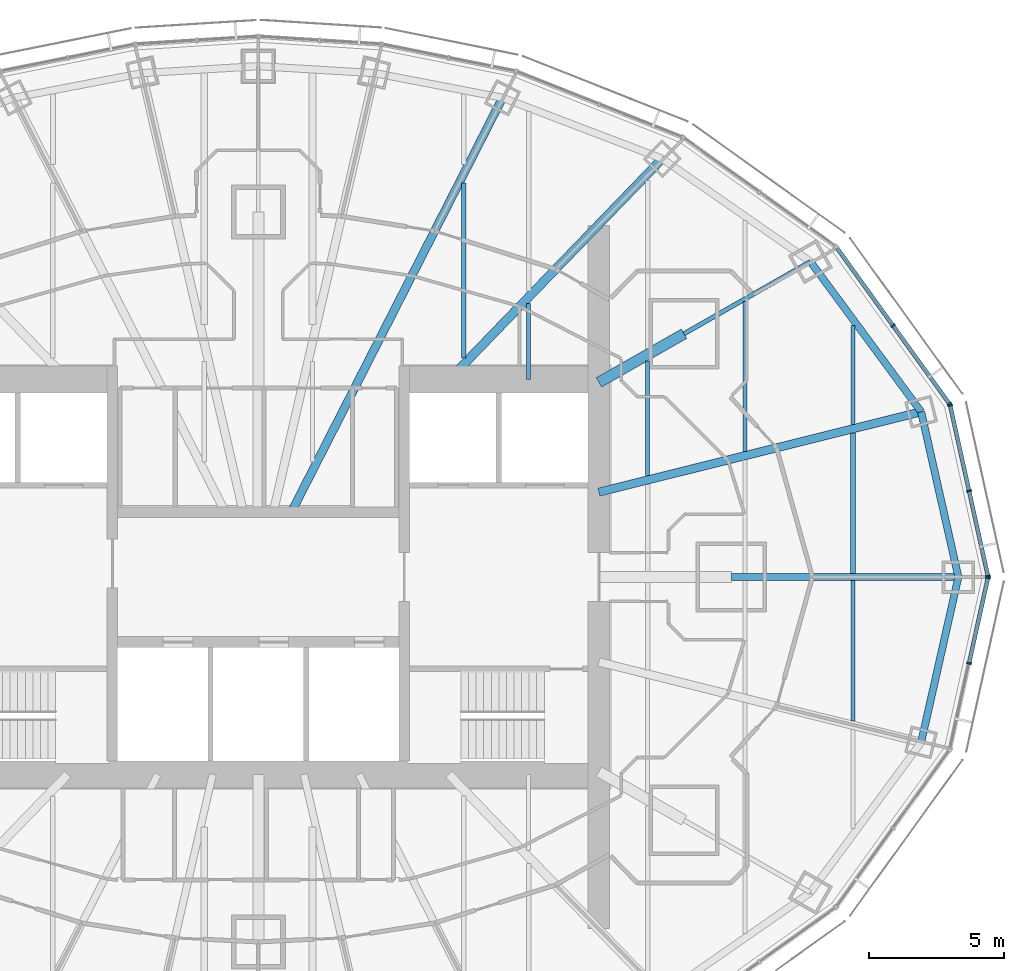
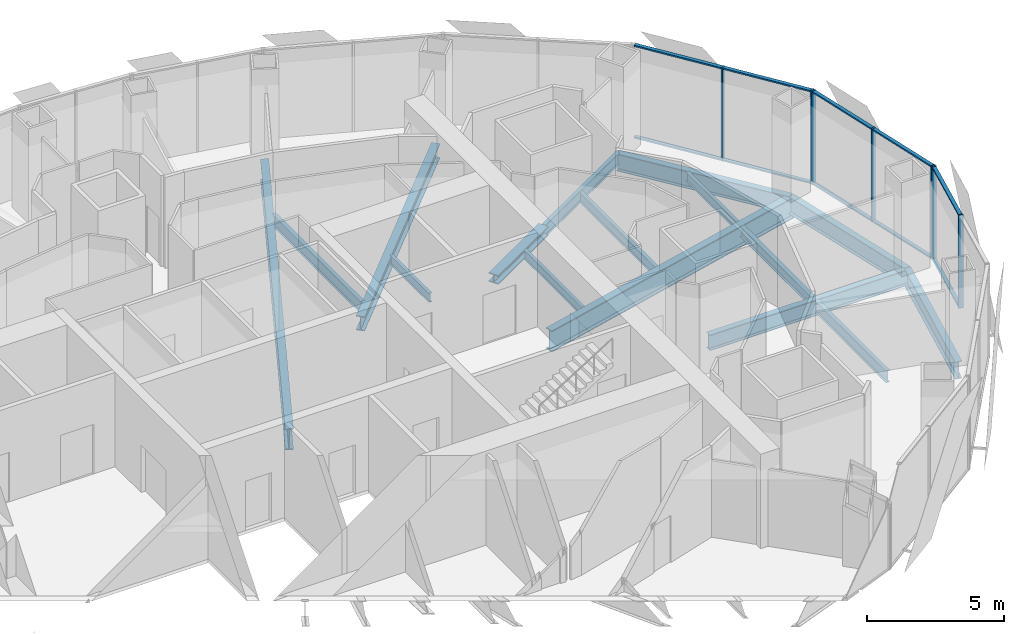
# One storey, part 7 of 18: 17 members, 16 beams, 3 elements without a shape of their own.
"""IFC4 building model written with IfcOpenShell, lengths in metres."""

from ifc_helpers import new_model, si_unit, direction, frame, origin, origin_2d, place, context, subcontext, project, spatial, rectangle, i_section, extrude, material, material_profile, profile_set, type_object, element, aggregate, save


model = new_model("IFC4")

# Units and contexts
model_context = context("Model", 3, precision=1e-05, world=origin(), true_north=direction((0.0, 1.0)))
body_context = subcontext(model_context, "Body", "Model", "MODEL_VIEW")
ifc_project = project(units=[si_unit("LENGTHUNIT", "METRE"), si_unit("AREAUNIT", "SQUARE_METRE"), si_unit("VOLUMEUNIT", "CUBIC_METRE"), si_unit("PLANEANGLEUNIT", "RADIAN"), si_unit("MASSUNIT", "GRAM", prefix="KILO")], contexts=[model_context])

# Site, building, storey
site_placement = place(None, origin())
site = spatial("IfcSite", under=ifc_project, at=site_placement, CompositionType="ELEMENT")
building_placement = place(site_placement, origin())
building = spatial("IfcBuilding", under=site, at=building_placement, Name="Lantaw Convention Tower", CompositionType="ELEMENT")
storey_placement = place(building_placement, frame((0.0, 0.0, 228.39990234375)))
storey = spatial("IfcBuildingStorey", under=building, at=storey_placement, Name="L53", CompositionType="ELEMENT", Elevation=228.39990234375)

# Beams
ifc_material_1 = material(Name="Steel ASTM A992", Category="steel")
ifc_material_profile_1 = material_profile(ifc_material_1, i_section(OverallWidth=0.2666015625, OverallDepth=0.76953125, WebThickness=0.015625, FlangeThickness=0.025390625, FilletRadius=0.0126953125, at=origin_2d()), Name="W30X132")
ifc_profile_set_1 = profile_set([ifc_material_profile_1], Name="Steel ASTM A992")
beam_type_1 = type_object("IfcBeamType", Name="Beam E W30X132", PredefinedType="SPANDREL", material=ifc_profile_set_1)
beam_1_placement = place(storey_placement, frame((25.89990234375, 0.0, -0.53466796875), z_axis=(-0.219857926596, 0.97553190215, 0.0), x_axis=(-0.97553190215, -0.219857926596, 0.0)))
element("IfcBeam", 1, at=beam_1_placement, inside=storey, type_object=beam_type_1, Name="Edge beam 1", PredefinedType="SPANDREL", context=body_context, shape_type="SweptSolid", body=[
    extrude(i_section(OverallWidth=0.2666015625, OverallDepth=0.76953125, WebThickness=0.015625, FlangeThickness=0.025390625, FilletRadius=0.0126953125, at=origin_2d()), origin(), (0.0, 0.0, 1.0), 6.267333984375),
])
beam_2_placement = place(storey_placement, frame((24.52197265625, 6.114013671875, -0.53466796875), z_axis=(-0.593639188853, 0.804731329984, 0.0), x_axis=(-0.804731329984, -0.593639188853, 0.0)))
element("IfcBeam", 2, at=beam_2_placement, inside=storey, type_object=beam_type_1, Name="Edge beam 2", PredefinedType="SPANDREL", context=body_context, shape_type="SweptSolid", body=[
    extrude(i_section(OverallWidth=0.2666015625, OverallDepth=0.76953125, WebThickness=0.015625, FlangeThickness=0.025390625, FilletRadius=0.0126953125, at=origin_2d()), origin(), (0.0, 0.0, 1.0), 6.904541015625),
])
beam_3_placement = place(storey_placement, frame((24.52197265625, -6.114013671875, -0.53466796875), z_axis=(0.219857926596, 0.97553190215, 0.0), x_axis=(-0.97553190215, 0.219857926596, 0.0)))
element("IfcBeam", 3, at=beam_3_placement, inside=storey, type_object=beam_type_1, Name="Edge beam 24", PredefinedType="SPANDREL", context=body_context, shape_type="SweptSolid", body=[
    extrude(i_section(OverallWidth=0.2666015625, OverallDepth=0.76953125, WebThickness=0.015625, FlangeThickness=0.025390625, FilletRadius=0.0126953125, at=origin_2d()), origin(), (0.0, 0.0, 1.0), 6.267333984375),
])
ifc_material_profile_2 = material_profile(ifc_material_1, i_section(OverallWidth=0.1650390625, OverallDepth=0.52587890625, WebThickness=0.0087890625, FlangeThickness=0.011474609375, FilletRadius=0.0126953125, at=origin_2d()), Name="W21X44")
ifc_profile_set_2 = profile_set([ifc_material_profile_2], Name="Steel ASTM A992")
beam_type_2 = type_object("IfcBeamType", Name="Beam G W21X44", PredefinedType="BEAM", material=ifc_profile_set_2)
beam_4_placement = place(storey_placement, frame((15.75, 9.0, -0.412841796875), z_axis=(0.868237559289, 0.496148708192, 0.0), x_axis=(-0.496148708192, 0.868237559289, 0.0)))
element("IfcBeam", 4, at=beam_4_placement, inside=storey, type_object=beam_type_2, Name="Floor girder on ray 3", PredefinedType="BEAM", context=body_context, shape_type="SweptSolid", body=[
    extrude(i_section(OverallWidth=0.1650390625, OverallDepth=0.52587890625, WebThickness=0.0087890625, FlangeThickness=0.011474609375, FilletRadius=0.0126953125, at=origin_2d()), origin(), (0.0, 0.0, 1.0), 5.38232421875),
])
ifc_material_profile_3 = material_profile(ifc_material_1, i_section(OverallWidth=0.32763671875, OverallDepth=0.64013671875, WebThickness=0.01904296875, FlangeThickness=0.033935546875, FilletRadius=0.0126953125, at=origin_2d()), Name="W24X176")
ifc_profile_set_3 = profile_set([ifc_material_profile_3], Name="Steel ASTM A992")
beam_type_3 = type_object("IfcBeamType", Name="Beam G W24X176", PredefinedType="BEAM", material=ifc_profile_set_3)
beam_5_placement = place(storey_placement, frame((7.049560546875, 7.300048828125, -0.469970703125), z_axis=(0.694657766726, 0.719340383356, 0.0), x_axis=(-0.719340383356, 0.694657766726, 0.0)))
element("IfcBeam", 5, at=beam_5_placement, inside=storey, type_object=beam_type_3, Name="Floor girder on ray 4", PredefinedType="BEAM", context=body_context, shape_type="SweptSolid", body=[
    extrude(i_section(OverallWidth=0.32763671875, OverallDepth=0.64013671875, WebThickness=0.01904296875, FlangeThickness=0.033935546875, FilletRadius=0.0126953125, at=origin_2d()), origin(), (0.0, 0.0, 1.0), 11.364990234375),
])
ifc_material_profile_4 = material_profile(ifc_material_1, i_section(OverallWidth=0.25390625, OverallDepth=0.700927734375, WebThickness=0.015380859375, FlangeThickness=0.02783203125, FilletRadius=0.01513671875, at=origin_2d()), Name="W27X129")
ifc_profile_set_4 = profile_set([ifc_material_profile_4], Name="Steel ASTM A992")
beam_type_4 = type_object("IfcBeamType", Name="Beam G W27X129", PredefinedType="BEAM", material=ifc_profile_set_4)
beam_6_placement = place(storey_placement, frame((17.5, 0.0, -0.50048828125), z_axis=(1.0, 0.0, 0.0), x_axis=(0.0, 1.0, 0.0)))
element("IfcBeam", 6, at=beam_6_placement, inside=storey, type_object=beam_type_4, Name="Floor girder on ray 1", PredefinedType="BEAM", context=body_context, shape_type="SweptSolid", body=[
    extrude(i_section(OverallWidth=0.25390625, OverallDepth=0.700927734375, WebThickness=0.015380859375, FlangeThickness=0.02783203125, FilletRadius=0.01513671875, at=origin_2d()), origin(), (0.0, 0.0, 1.0), 8.39990234375),
])
ifc_material_profile_5 = material_profile(ifc_material_1, i_section(OverallWidth=0.307373046875, OverallDepth=0.9423828125, WebThickness=0.022216796875, FlangeThickness=0.039794921875, FilletRadius=0.0126953125, at=origin_2d()), Name="W36X232")
ifc_profile_set_5 = profile_set([ifc_material_profile_5], Name="Steel ASTM A992")
beam_type_5 = type_object("IfcBeamType", Name="Beam G W36X232", PredefinedType="BEAM", material=ifc_profile_set_5)
beam_7_placement = place(storey_placement, frame((12.60009765625, 3.1416015625, -0.62109375), z_axis=(0.970296589314, 0.241918434119, 0.0), x_axis=(-0.241918434119, 0.970296589314, 0.0)))
element("IfcBeam", 7, at=beam_7_placement, inside=storey, type_object=beam_type_5, Name="Floor girder on ray 2", PredefinedType="BEAM", context=body_context, shape_type="SweptSolid", body=[
    extrude(i_section(OverallWidth=0.307373046875, OverallDepth=0.9423828125, WebThickness=0.022216796875, FlangeThickness=0.039794921875, FilletRadius=0.0126953125, at=origin_2d()), origin(), (0.0, 0.0, 1.0), 12.286865234375),
])
beam_8_placement = place(storey_placement, frame((1.222900390625, 2.39990234375, -0.62109375), z_axis=(0.453988481463, 0.891007552549, 0.0), x_axis=(-0.891007552549, 0.453988481463, 0.0)))
element("IfcBeam", 8, at=beam_8_placement, inside=storey, type_object=beam_type_5, Name="Floor girder on ray 5", PredefinedType="BEAM", context=body_context, shape_type="SweptSolid", body=[
    extrude(i_section(OverallWidth=0.307373046875, OverallDepth=0.9423828125, WebThickness=0.022216796875, FlangeThickness=0.039794921875, FilletRadius=0.0126953125, at=origin_2d()), origin(), (0.0, 0.0, 1.0), 17.20703125),
])
ifc_material_profile_6 = material_profile(ifc_material_1, i_section(OverallWidth=0.40380859375, OverallDepth=0.406494140625, WebThickness=0.027099609375, FlangeThickness=0.043701171875, FilletRadius=0.01513671875, at=origin_2d()), Name="W14X233")
ifc_profile_set_6 = profile_set([ifc_material_profile_6], Name="Steel ASTM A992")
beam_type_6 = type_object("IfcBeamType", Name="Beam GM W14X233", PredefinedType="BEAM", material=ifc_profile_set_6)
beam_9_placement = place(storey_placement, frame((12.60009765625, 7.199951171875, -0.35302734375), z_axis=(0.868230718294, 0.496160679428, 0.0), x_axis=(-0.496160679428, 0.868230718294, 0.0)))
element("IfcBeam", 9, at=beam_9_placement, inside=storey, type_object=beam_type_6, Name="Core link beam on ray 3", PredefinedType="BEAM", context=body_context, shape_type="SweptSolid", body=[
    extrude(i_section(OverallWidth=0.40380859375, OverallDepth=0.406494140625, WebThickness=0.027099609375, FlangeThickness=0.043701171875, FilletRadius=0.01513671875, at=origin_2d()), origin(), (0.0, 0.0, 1.0), 3.6279296875),
])
ifc_material_profile_7 = material_profile(ifc_material_1, i_section(OverallWidth=0.140380859375, OverallDepth=0.40380859375, WebThickness=0.007080078125, FlangeThickness=0.01123046875, FilletRadius=0.01025390625, at=origin_2d()), Name="W16X31")
ifc_profile_set_7 = profile_set([ifc_material_profile_7], Name="Steel ASTM A992")
beam_type_7 = type_object("IfcBeamType", Name="Beam J W16X31", PredefinedType="JOIST", material=ifc_profile_set_7)
beam_10_placement = place(storey_placement, frame((10.0, 7.300048828125, -0.351806640625), z_axis=(0.0, 1.0, 0.0), x_axis=(-1.0, 0.0, 0.0)))
element("IfcBeam", 10, at=beam_10_placement, inside=storey, type_object=beam_type_7, Name="Floor joist", PredefinedType="JOIST", context=body_context, shape_type="SweptSolid", body=[
    extrude(i_section(OverallWidth=0.140380859375, OverallDepth=0.40380859375, WebThickness=0.007080078125, FlangeThickness=0.01123046875, FilletRadius=0.01025390625, at=origin_2d()), origin(), (0.0, 0.0, 1.0), 2.8193359375),
])
beam_11_placement = place(storey_placement, frame((14.39990234375, 3.748779296875, -0.351806640625), z_axis=(0.0, 1.0, 0.0), x_axis=(-1.0, 0.0, 0.0)))
element("IfcBeam", 11, at=beam_11_placement, inside=storey, type_object=beam_type_7, Name="Floor joist", PredefinedType="JOIST", context=body_context, shape_type="SweptSolid", body=[
    extrude(i_section(OverallWidth=0.140380859375, OverallDepth=0.40380859375, WebThickness=0.007080078125, FlangeThickness=0.01123046875, FilletRadius=0.01025390625, at=origin_2d()), origin(), (0.0, 0.0, 1.0), 4.247314453125),
])
beam_12_placement = place(storey_placement, frame((22.0, 5.6435546875, -0.351806640625), z_axis=(0.0, 1.0, 0.0), x_axis=(-1.0, 0.0, 0.0)))
element("IfcBeam", 12, at=beam_12_placement, inside=storey, type_object=beam_type_7, Name="Floor joist", PredefinedType="JOIST", context=body_context, shape_type="SweptSolid", body=[
    extrude(i_section(OverallWidth=0.140380859375, OverallDepth=0.40380859375, WebThickness=0.007080078125, FlangeThickness=0.01123046875, FilletRadius=0.01025390625, at=origin_2d()), origin(), (0.0, 0.0, 1.0), 3.66455078125),
])
ifc_material_profile_8 = material_profile(ifc_material_1, i_section(OverallWidth=0.15234375, OverallDepth=0.449462890625, WebThickness=0.007568359375, FlangeThickness=0.0107421875, FilletRadius=0.01025390625, at=origin_2d()), Name="W18X35")
ifc_profile_set_8 = profile_set([ifc_material_profile_8], Name="Steel ASTM A992")
beam_type_8 = type_object("IfcBeamType", Name="Beam J W18X35", PredefinedType="JOIST", material=ifc_profile_set_8)
beam_13_placement = place(storey_placement, frame((18.0, 4.646240234375, -0.374755859375), z_axis=(0.0, 1.0, 0.0), x_axis=(-1.0, 0.0, 0.0)))
element("IfcBeam", 13, at=beam_13_placement, inside=storey, type_object=beam_type_8, Name="Floor joist", PredefinedType="JOIST", context=body_context, shape_type="SweptSolid", body=[
    extrude(i_section(OverallWidth=0.15234375, OverallDepth=0.449462890625, WebThickness=0.007568359375, FlangeThickness=0.0107421875, FilletRadius=0.01025390625, at=origin_2d()), origin(), (0.0, 0.0, 1.0), 5.54443359375),
])
ifc_material_profile_9 = material_profile(ifc_material_1, i_section(OverallWidth=0.1904296875, OverallDepth=0.457275390625, WebThickness=0.009033203125, FlangeThickness=0.014404296875, FilletRadius=0.01025390625, at=origin_2d()), Name="W18X50")
ifc_profile_set_9 = profile_set([ifc_material_profile_9], Name="Steel ASTM A992")
beam_type_9 = type_object("IfcBeamType", Name="Beam J W18X50", PredefinedType="JOIST", material=ifc_profile_set_9)
beam_14_placement = place(storey_placement, frame((22.0, 0.126953125, -0.37841796875), z_axis=(0.0, 1.0, 0.0), x_axis=(-1.0, 0.0, 0.0)))
element("IfcBeam", 14, at=beam_14_placement, inside=storey, type_object=beam_type_9, Name="Floor joist", PredefinedType="JOIST", context=body_context, shape_type="SweptSolid", body=[
    extrude(i_section(OverallWidth=0.1904296875, OverallDepth=0.457275390625, WebThickness=0.009033203125, FlangeThickness=0.014404296875, FilletRadius=0.01025390625, at=origin_2d()), origin(), (0.0, 0.0, 1.0), 5.199951171875),
])
ifc_material_profile_10 = material_profile(ifc_material_1, i_section(OverallWidth=0.1650390625, OverallDepth=0.52587890625, WebThickness=0.0087890625, FlangeThickness=0.011474609375, FilletRadius=0.0126953125, at=origin_2d()), Name="W21X44")
ifc_profile_set_10 = profile_set([ifc_material_profile_10], Name="Steel ASTM A992")
beam_type_10 = type_object("IfcBeamType", Name="Beam J W21X44", PredefinedType="JOIST", material=ifc_profile_set_10)
beam_15_placement = place(storey_placement, frame((7.60009765625, 8.10595703125, -0.412841796875), z_axis=(0.0, 1.0, 0.0), x_axis=(-1.0, 0.0, 0.0)))
element("IfcBeam", 15, at=beam_15_placement, inside=storey, type_object=beam_type_10, Name="Floor joist", PredefinedType="JOIST", context=body_context, shape_type="SweptSolid", body=[
    extrude(i_section(OverallWidth=0.1650390625, OverallDepth=0.52587890625, WebThickness=0.0087890625, FlangeThickness=0.011474609375, FilletRadius=0.0126953125, at=origin_2d()), origin(), (0.0, 0.0, 1.0), 6.471435546875),
])
beam_16_placement = place(storey_placement, frame((22.0, -5.326904296875, -0.412841796875), z_axis=(0.0, 1.0, 0.0), x_axis=(-1.0, 0.0, 0.0)))
element("IfcBeam", 16, at=beam_16_placement, inside=storey, type_object=beam_type_10, Name="Floor joist", PredefinedType="JOIST", context=body_context, shape_type="SweptSolid", body=[
    extrude(i_section(OverallWidth=0.1650390625, OverallDepth=0.52587890625, WebThickness=0.0087890625, FlangeThickness=0.011474609375, FilletRadius=0.0126953125, at=origin_2d()), origin(), (0.0, 0.0, 1.0), 5.199951171875),
])

# Curtain wall, members
ifc_material_2 = material(Name="Aluminium framed curtain wall", Category="aluminium")
curtain_wall_type = type_object("IfcCurtainWallType", Name="Office curtain wall high rise, pale aluminium", PredefinedType="USERDEFINED", material=ifc_material_2)
curtain_wall_1_placement = place(storey_placement, origin())
curtain_wall_1 = element("IfcCurtainWall", 17, at=curtain_wall_1_placement, inside=storey, type_object=curtain_wall_type, Name="Office curtain wall high rise, pale aluminium L53", ObjectType="UNITISED CURTAIN WALL", PredefinedType="USERDEFINED")
ifc_material_3 = material(Name="Aluminium 6063-T6", Category="aluminium")
ifc_material_profile_11 = material_profile(ifc_material_3, rectangle(XDim=0.179931640625, YDim=0.06494140625, at=origin_2d()), Name="CW-O2 mullion 65x180")
ifc_profile_set_11 = profile_set([ifc_material_profile_11], Name="Aluminium 6063-T6")
member_type_1 = type_object("IfcMemberType", Name="CW-O2 mullion 65x180", PredefinedType="MULLION", material=ifc_profile_set_11)
member_1_placement = place(storey_placement, frame((26.992919921875, 0.03173828125, -0.14990234375), z_axis=(0.0, 0.0, 1.0), x_axis=(-0.976417396437, -0.215891333626, 0.0)))
member_1 = element("IfcMember", 18, at=member_1_placement, type_object=member_type_1, Name="CW-O2 mullion 1", PredefinedType="MULLION", context=body_context, shape_type="SweptSolid", body=[
    extrude(rectangle(XDim=0.179931640625, YDim=0.06494140625, at=origin_2d()), origin(), (0.0, 0.0, 1.0), 4.14990234375),
])
member_2_placement = place(storey_placement, frame((26.294677734375, 3.190185546875, -0.14990234375), z_axis=(0.0, 0.0, 1.0), x_axis=(-0.976417396437, -0.215891333626, 0.0)))
member_2 = element("IfcMember", 19, at=member_2_placement, type_object=member_type_1, Name="CW-O2 mullion 2", PredefinedType="MULLION", context=body_context, shape_type="SweptSolid", body=[
    extrude(rectangle(XDim=0.179931640625, YDim=0.06494140625, at=origin_2d()), origin(), (0.0, 0.0, 1.0), 4.14990234375),
])
member_3_placement = place(storey_placement, frame((25.596435546875, 6.348388671875, -0.14990234375), z_axis=(0.0, 0.0, 1.0), x_axis=(-0.976417396437, -0.215891333626, 0.0)))
member_3 = element("IfcMember", 20, at=member_3_placement, type_object=member_type_1, Name="CW-O2 mullion 3", PredefinedType="MULLION", context=body_context, shape_type="SweptSolid", body=[
    extrude(rectangle(XDim=0.179931640625, YDim=0.06494140625, at=origin_2d()), origin(), (0.0, 0.0, 1.0), 4.14990234375),
])

curtain_wall_2_placement = place(storey_placement, origin())
curtain_wall_2 = element("IfcCurtainWall", 21, at=curtain_wall_2_placement, inside=storey, type_object=curtain_wall_type, Name="Office curtain wall high rise, pale aluminium L53", ObjectType="UNITISED CURTAIN WALL", PredefinedType="USERDEFINED")
member_4_placement = place(storey_placement, frame((25.5703125, 6.406494140625, -0.14990234375), z_axis=(0.0, 0.0, 1.0), x_axis=(-0.810919559405, -0.585157643865, 0.0)))
member_4 = element("IfcMember", 22, at=member_4_placement, type_object=member_type_1, Name="CW-O2 mullion 1", PredefinedType="MULLION", context=body_context, shape_type="SweptSolid", body=[
    extrude(rectangle(XDim=0.179931640625, YDim=0.06494140625, at=origin_2d()), origin(), (0.0, 0.0, 1.0), 4.14990234375),
])
member_5_placement = place(storey_placement, frame((23.483642578125, 9.298095703125, -0.14990234375), z_axis=(0.0, 0.0, 1.0), x_axis=(-0.810919559405, -0.585157643865, 0.0)))
member_5 = element("IfcMember", 23, at=member_5_placement, type_object=member_type_1, Name="CW-O2 mullion 2", PredefinedType="MULLION", context=body_context, shape_type="SweptSolid", body=[
    extrude(rectangle(XDim=0.179931640625, YDim=0.06494140625, at=origin_2d()), origin(), (0.0, 0.0, 1.0), 4.14990234375),
])

curtain_wall_3_placement = place(storey_placement, origin())
curtain_wall_3 = element("IfcCurtainWall", 24, at=curtain_wall_3_placement, inside=storey, type_object=curtain_wall_type, Name="Office curtain wall high rise, pale aluminium L53", ObjectType="UNITISED CURTAIN WALL", PredefinedType="USERDEFINED")
member_6_placement = place(storey_placement, frame((26.294677734375, -3.190185546875, -0.14990234375), z_axis=(0.0, 0.0, 1.0), x_axis=(-0.976417396437, 0.215891333626, 0.0)))
member_6 = element("IfcMember", 25, at=member_6_placement, type_object=member_type_1, Name="CW-O2 mullion 2", PredefinedType="MULLION", context=body_context, shape_type="SweptSolid", body=[
    extrude(rectangle(XDim=0.179931640625, YDim=0.06494140625, at=origin_2d()), origin(), (0.0, 0.0, 1.0), 4.14990234375),
])
member_7_placement = place(storey_placement, frame((26.992919921875, -0.03173828125, -0.14990234375), z_axis=(0.0, 0.0, 1.0), x_axis=(-0.976417396437, 0.215891333626, 0.0)))
member_7 = element("IfcMember", 26, at=member_7_placement, type_object=member_type_1, Name="CW-O2 mullion 3", PredefinedType="MULLION", context=body_context, shape_type="SweptSolid", body=[
    extrude(rectangle(XDim=0.179931640625, YDim=0.06494140625, at=origin_2d()), origin(), (0.0, 0.0, 1.0), 4.14990234375),
])

# Member
ifc_material_profile_12 = material_profile(ifc_material_3, rectangle(XDim=0.14990234375, YDim=0.06494140625, at=origin_2d()), Name="CW-O2 transom 65x150")
ifc_profile_set_12 = profile_set([ifc_material_profile_12], Name="Aluminium 6063-T6")
member_type_2 = type_object("IfcMemberType", Name="CW-O2 transom 65x150", PredefinedType="USERDEFINED", material=ifc_profile_set_12)
member_8_placement = place(storey_placement, frame((26.986083984375, 0.0634765625, -0.117431640625), z_axis=(-0.215894607042, 0.976416672661, 0.0), x_axis=(-0.976416672661, -0.215894607042, 0.0)))
member_8 = element("IfcMember", 27, at=member_8_placement, type_object=member_type_2, Name="CW-O2 transom 1.1", ObjectType="TRANSOM", PredefinedType="USERDEFINED", context=body_context, shape_type="SweptSolid", body=[
    extrude(rectangle(XDim=0.14990234375, YDim=0.06494140625, at=origin_2d()), origin(), (0.0, 0.0, 1.0), 3.169677734375),
])

member_9_placement = place(storey_placement, frame((26.986083984375, 0.0634765625, 3.967529296875), z_axis=(-0.215894607042, 0.976416672661, 0.0), x_axis=(-0.976416672661, -0.215894607042, 0.0)))
member_9 = element("IfcMember", 28, at=member_9_placement, type_object=member_type_2, Name="CW-O2 transom 1.2", ObjectType="TRANSOM", PredefinedType="USERDEFINED", context=body_context, shape_type="SweptSolid", body=[
    extrude(rectangle(XDim=0.14990234375, YDim=0.06494140625, at=origin_2d()), origin(), (0.0, 0.0, 1.0), 3.169677734375),
])

member_10_placement = place(storey_placement, frame((26.28759765625, 3.2216796875, -0.117431640625), z_axis=(-0.215894607042, 0.976416672661, 0.0), x_axis=(-0.976416672661, -0.215894607042, 0.0)))
member_10 = element("IfcMember", 29, at=member_10_placement, type_object=member_type_2, Name="CW-O2 transom 2.1", ObjectType="TRANSOM", PredefinedType="USERDEFINED", context=body_context, shape_type="SweptSolid", body=[
    extrude(rectangle(XDim=0.14990234375, YDim=0.06494140625, at=origin_2d()), origin(), (0.0, 0.0, 1.0), 3.169677734375),
])

member_11_placement = place(storey_placement, frame((26.28759765625, 3.2216796875, 3.967529296875), z_axis=(-0.215894607042, 0.976416672661, 0.0), x_axis=(-0.976416672661, -0.215894607042, 0.0)))
member_11 = element("IfcMember", 30, at=member_11_placement, type_object=member_type_2, Name="CW-O2 transom 2.2", ObjectType="TRANSOM", PredefinedType="USERDEFINED", context=body_context, shape_type="SweptSolid", body=[
    extrude(rectangle(XDim=0.14990234375, YDim=0.06494140625, at=origin_2d()), origin(), (0.0, 0.0, 1.0), 3.169677734375),
])

aggregate(curtain_wall_1, [member_1, member_2, member_3, member_8, member_9, member_10, member_11])

member_12_placement = place(storey_placement, frame((25.55126953125, 6.432861328125, -0.117431640625), z_axis=(-0.585169685931, 0.810910869743, 0.0), x_axis=(-0.810910869743, -0.585169685931, 0.0)))
member_12 = element("IfcMember", 31, at=member_12_placement, type_object=member_type_2, Name="CW-O2 transom 1.1", ObjectType="TRANSOM", PredefinedType="USERDEFINED", context=body_context, shape_type="SweptSolid", body=[
    extrude(rectangle(XDim=0.14990234375, YDim=0.06494140625, at=origin_2d()), origin(), (0.0, 0.0, 1.0), 3.500732421875),
])

member_13_placement = place(storey_placement, frame((25.55126953125, 6.432861328125, 3.967529296875), z_axis=(-0.585169685931, 0.810910869743, 0.0), x_axis=(-0.810910869743, -0.585169685931, 0.0)))
member_13 = element("IfcMember", 32, at=member_13_placement, type_object=member_type_2, Name="CW-O2 transom 1.2", ObjectType="TRANSOM", PredefinedType="USERDEFINED", context=body_context, shape_type="SweptSolid", body=[
    extrude(rectangle(XDim=0.14990234375, YDim=0.06494140625, at=origin_2d()), origin(), (0.0, 0.0, 1.0), 3.500732421875),
])

member_14_placement = place(storey_placement, frame((23.464599609375, 9.324462890625, -0.117431640625), z_axis=(-0.585123825205, 0.810943961798, 0.0), x_axis=(-0.810943961798, -0.585123825205, 0.0)))
member_14 = element("IfcMember", 33, at=member_14_placement, type_object=member_type_2, Name="CW-O2 transom 2.1", ObjectType="TRANSOM", PredefinedType="USERDEFINED", context=body_context, shape_type="SweptSolid", body=[
    extrude(rectangle(XDim=0.14990234375, YDim=0.06494140625, at=origin_2d()), origin(), (0.0, 0.0, 1.0), 3.500732421875),
])

member_15_placement = place(storey_placement, frame((23.464599609375, 9.324462890625, 3.967529296875), z_axis=(-0.585123825205, 0.810943961798, 0.0), x_axis=(-0.810943961798, -0.585123825205, 0.0)))
member_15 = element("IfcMember", 34, at=member_15_placement, type_object=member_type_2, Name="CW-O2 transom 2.2", ObjectType="TRANSOM", PredefinedType="USERDEFINED", context=body_context, shape_type="SweptSolid", body=[
    extrude(rectangle(XDim=0.14990234375, YDim=0.06494140625, at=origin_2d()), origin(), (0.0, 0.0, 1.0), 3.500732421875),
])

aggregate(curtain_wall_2, [member_4, member_5, member_12, member_13, member_14, member_15])

member_16_placement = place(storey_placement, frame((26.3017578125, -3.158447265625, -0.117431640625), z_axis=(0.215894607042, 0.976416672661, 0.0), x_axis=(-0.976416672661, 0.215894607042, 0.0)))
member_16 = element("IfcMember", 35, at=member_16_placement, type_object=member_type_2, Name="CW-O2 transom 2.1", ObjectType="TRANSOM", PredefinedType="USERDEFINED", context=body_context, shape_type="SweptSolid", body=[
    extrude(rectangle(XDim=0.14990234375, YDim=0.06494140625, at=origin_2d()), origin(), (0.0, 0.0, 1.0), 3.169677734375),
])

member_17_placement = place(storey_placement, frame((26.3017578125, -3.158447265625, 3.967529296875), z_axis=(0.215894607042, 0.976416672661, 0.0), x_axis=(-0.976416672661, 0.215894607042, 0.0)))
member_17 = element("IfcMember", 36, at=member_17_placement, type_object=member_type_2, Name="CW-O2 transom 2.2", ObjectType="TRANSOM", PredefinedType="USERDEFINED", context=body_context, shape_type="SweptSolid", body=[
    extrude(rectangle(XDim=0.14990234375, YDim=0.06494140625, at=origin_2d()), origin(), (0.0, 0.0, 1.0), 3.169677734375),
])

aggregate(curtain_wall_3, [member_6, member_7, member_16, member_17])

save(model, "model.ifc")
